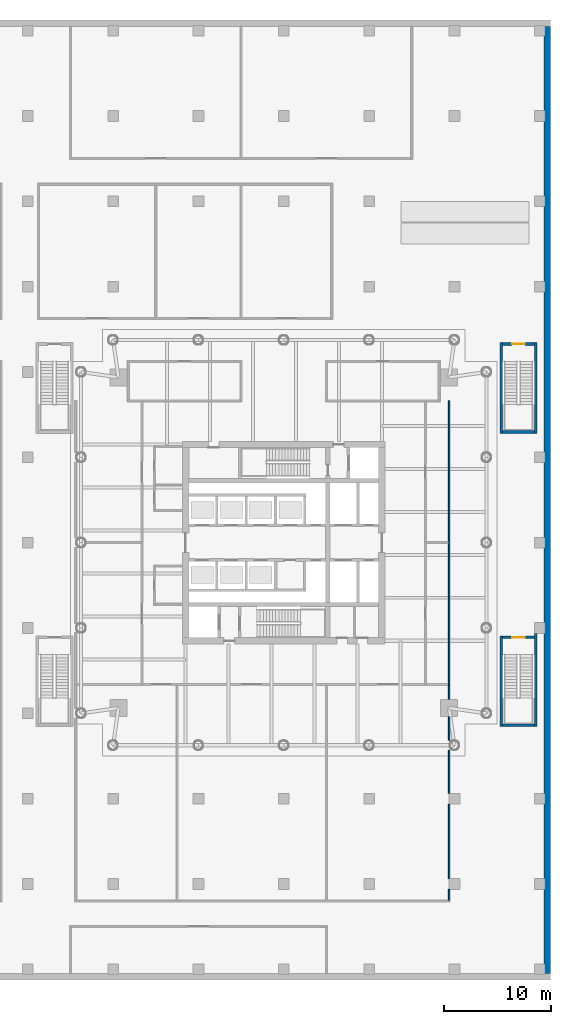
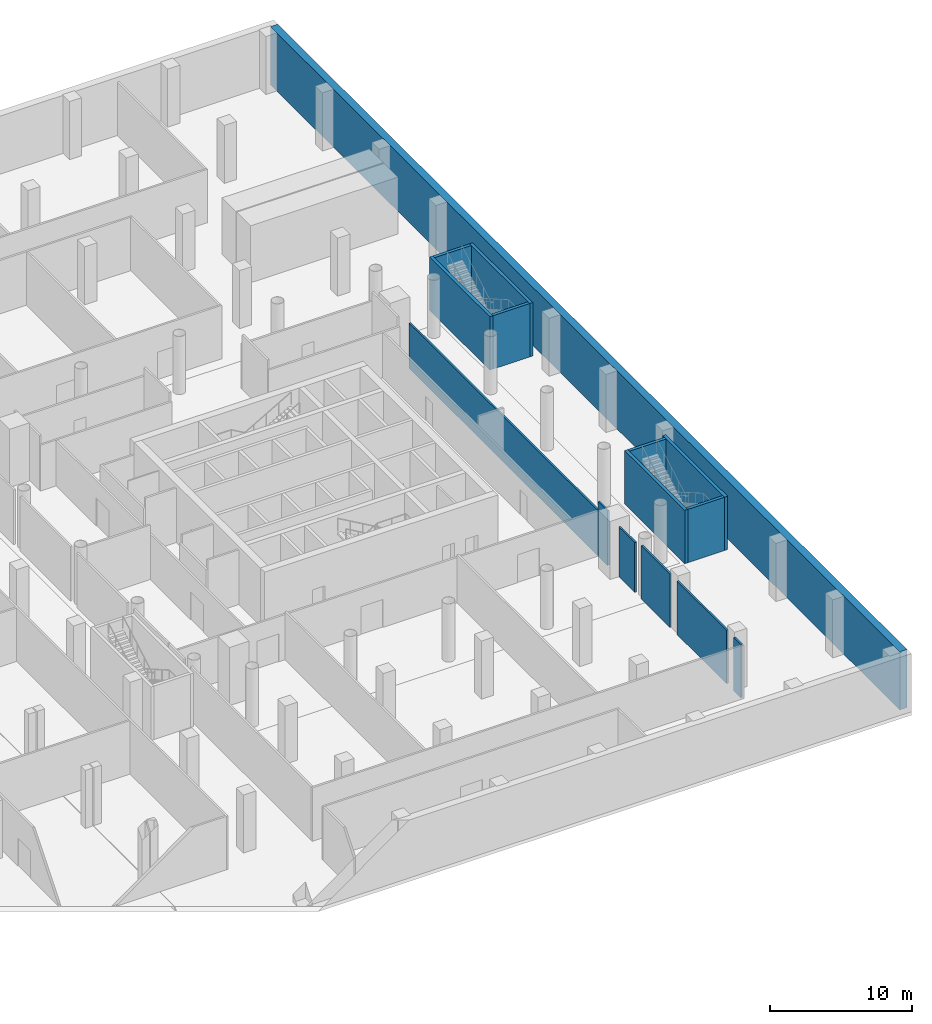
# One storey, part 16 of 22: 15 walls, 2 doors, 2 openings.
"""IFC4 building model written with IfcOpenShell, lengths in metres."""

from ifc_helpers import new_model, si_unit, direction, frame, frame_2d, origin, place, context, subcontext, project, spatial, rectangle, extrude, material, layer, layer_set, type_object, element, fill, save


model = new_model("IFC4")

# Units and contexts
model_context = context("Model", 3, precision=1e-05, world=origin(), true_north=direction((0.0, 1.0)))
body_context = subcontext(model_context, "Body", "Model", "MODEL_VIEW")
ifc_project = project(units=[si_unit("LENGTHUNIT", "METRE"), si_unit("AREAUNIT", "SQUARE_METRE"), si_unit("VOLUMEUNIT", "CUBIC_METRE"), si_unit("PLANEANGLEUNIT", "RADIAN"), si_unit("MASSUNIT", "GRAM", prefix="KILO")], contexts=[model_context])

# Site, building, storey
site_placement = place(None, origin())
site = spatial("IfcSite", under=ifc_project, at=site_placement, CompositionType="ELEMENT")
building_placement = place(site_placement, origin())
building = spatial("IfcBuilding", under=site, at=building_placement, Name="Ostroluk Exchange", CompositionType="ELEMENT")
storey_placement = place(building_placement, frame((0.0, 0.0, -5.0)))
storey = spatial("IfcBuildingStorey", under=building, at=storey_placement, Name="B1", CompositionType="ELEMENT", Elevation=-5.0)

# Walls
ifc_material_1 = material(Name="Concrete C35/45", Category="concrete")
ifc_layer_1 = layer(ifc_material_1, 0.60009765625)
ifc_layer_set_1 = layer_set([ifc_layer_1], Name="Basement retaining wall 600")
wall_type_1 = type_object("IfcWallType", Name="Basement retaining wall 600", PredefinedType="USERDEFINED", material=ifc_layer_set_1)
wall_1_placement = place(storey_placement, frame((141.699951171875, 5.60009765625, 0.0), z_axis=(0.0, 0.0, 1.0), x_axis=(0.0, 1.0, 0.0)))
element("IfcWall", 1, at=wall_1_placement, inside=storey, type_object=wall_type_1, Name="Retaining wall B1 E", ObjectType="RETAINING WALL", PredefinedType="USERDEFINED", context=body_context, shape_type="SweptSolid", body=[
    extrude(rectangle(XDim=88.7998046875, YDim=0.60009765625, at=frame_2d((44.39990234375, 0.0))), origin(), (0.0, 0.0, 1.0), 5.0),
])
ifc_material_2 = material(Name="Concrete blockwork", Category="masonry")
ifc_layer_2 = layer(ifc_material_2, 0.25)
ifc_layer_set_2 = layer_set([ifc_layer_2], Name="Blockwork stair enclosure wall 250")
wall_type_2 = type_object("IfcWallType", Name="Blockwork stair enclosure wall 250", PredefinedType="SOLIDWALL", material=ifc_layer_set_2)
wall_2_placement = place(storey_placement, frame((137.375, 28.75, 0.0), z_axis=(0.0, 0.0, 1.0), x_axis=(0.0, 1.0, 0.0)))
element("IfcWall", 2, at=wall_2_placement, inside=storey, type_object=wall_type_2, Name="Stair PS7 enclosure wall", PredefinedType="SOLIDWALL", context=body_context, shape_type="SweptSolid", body=[
    extrude(rectangle(XDim=8.5, YDim=0.25, at=frame_2d((4.25, 0.0))), origin(), (0.0, 0.0, 1.0), 4.60009765625),
])
wall_3_placement = place(storey_placement, frame((140.625, 28.75, 0.0), z_axis=(0.0, 0.0, 1.0), x_axis=(0.0, 1.0, 0.0)))
element("IfcWall", 3, at=wall_3_placement, inside=storey, type_object=wall_type_2, Name="Stair PS7 enclosure wall", PredefinedType="SOLIDWALL", context=body_context, shape_type="SweptSolid", body=[
    extrude(rectangle(XDim=8.75, YDim=0.25, at=frame_2d((4.375, 0.0))), origin(), (0.0, 0.0, 1.0), 4.60009765625),
])
wall_4_placement = place(storey_placement, frame((137.5, 28.875, 0.0), z_axis=(0.0, 0.0, 1.0), x_axis=(1.0, 0.0, 0.0)))
element("IfcWall", 4, at=wall_4_placement, inside=storey, type_object=wall_type_2, Name="Stair PS7 enclosure wall", PredefinedType="SOLIDWALL", context=body_context, shape_type="SweptSolid", body=[
    extrude(rectangle(XDim=3.0, YDim=0.25, at=frame_2d((1.5, 0.0))), origin(), (0.0, 0.0, 1.0), 4.60009765625),
])

# Wall, opening, door
wall_5_placement = place(storey_placement, frame((137.5, 37.125, 0.0), z_axis=(0.0, 0.0, 1.0), x_axis=(1.0, 0.0, 0.0)))
wall_5 = element("IfcWall", 5, at=wall_5_placement, inside=storey, type_object=wall_type_2, Name="Stair PS7 enclosure wall", PredefinedType="SOLIDWALL", context=body_context, shape_type="SweptSolid", body=[
    extrude(rectangle(XDim=3.0, YDim=0.25, at=frame_2d((1.5, 0.0))), origin(), (0.0, 0.0, 1.0), 4.60009765625),
])
opening_1_placement = place(wall_5_placement, frame((0.89990234375, 0.0, 0.0)))
opening_1 = element("IfcOpeningElement", 6, at=opening_1_placement, cuts=wall_5, Name="Opening FD60S", PredefinedType="OPENING", context=body_context, shape_type="SweptSolid", body=[
    extrude(rectangle(XDim=1.199951171875, YDim=2.10009765625, at=frame_2d((0.60009765625, 1.050048828125))), frame((0.0, 0.135009765625, 0.0), z_axis=(0.0, -1.0, 0.0), x_axis=(1.0, 0.0, 0.0)), (0.0, 0.0, 1.0), 0.27001953125),
])
ifc_material_3 = material(Name="Steel", Category="steel")
door_type = type_object("IfcDoorType", Name="Stair door EI 60 1200 x 2100", OperationType="SINGLE_SWING_LEFT", PredefinedType="DOOR", material=ifc_material_3)
door_1_placement = place(opening_1_placement, origin())
door_1 = element("IfcDoor", 7, at=door_1_placement, inside=storey, type_object=door_type, Name="Stair PS7 door", OperationType="SINGLE_SWING_LEFT", OverallHeight=2.10009765625, OverallWidth=1.199951171875, PredefinedType="DOOR", context=body_context, shape_type="SweptSolid", body=[
    extrude(rectangle(XDim=1.199951171875, YDim=2.10009765625, at=frame_2d((0.60009765625, 1.050048828125))), frame((0.0, 0.02490234375, 0.0), z_axis=(0.0, -1.0, 0.0), x_axis=(1.0, 0.0, 0.0)), (0.0, 0.0, 1.0), 0.050048828125),
])
fill(opening_1, door_1)

# Walls
for number, where, z_axis, x_axis, name in (
    (8, (137.375, 56.25, 0.0), (0.0, 0.0, 1.0), (0.0, 1.0, 0.0), "Stair PS8 enclosure wall"),
    (9, (140.625, 56.25, 0.0), (0.0, 0.0, 1.0), (0.0, 1.0, 0.0), "Stair PS8 enclosure wall"),
):
    element("IfcWall", number, at=place(storey_placement, frame(where, z_axis=z_axis, x_axis=x_axis)), inside=storey, type_object=wall_type_2, Name=name, PredefinedType="SOLIDWALL", context=body_context, shape_type="SweptSolid", body=[
        extrude(rectangle(XDim=8.5, YDim=0.25, at=frame_2d((4.25, 0.0))), origin(), (0.0, 0.0, 1.0), 4.60009765625),
    ])
wall_6_placement = place(storey_placement, frame((137.5, 56.375, 0.0), z_axis=(0.0, 0.0, 1.0), x_axis=(1.0, 0.0, 0.0)))
element("IfcWall", 10, at=wall_6_placement, inside=storey, type_object=wall_type_2, Name="Stair PS8 enclosure wall", PredefinedType="SOLIDWALL", context=body_context, shape_type="SweptSolid", body=[
    extrude(rectangle(XDim=3.0, YDim=0.25, at=frame_2d((1.5, 0.0))), origin(), (0.0, 0.0, 1.0), 4.60009765625),
])

# Wall, opening, door
wall_7_placement = place(storey_placement, frame((137.5, 64.625, 0.0), z_axis=(0.0, 0.0, 1.0), x_axis=(1.0, 0.0, 0.0)))
wall_7 = element("IfcWall", 11, at=wall_7_placement, inside=storey, type_object=wall_type_2, Name="Stair PS8 enclosure wall", PredefinedType="SOLIDWALL", context=body_context, shape_type="SweptSolid", body=[
    extrude(rectangle(XDim=3.0, YDim=0.25, at=frame_2d((1.5, 0.0))), origin(), (0.0, 0.0, 1.0), 4.60009765625),
])
opening_2_placement = place(wall_7_placement, frame((0.89990234375, 0.0, 0.0)))
opening_2 = element("IfcOpeningElement", 12, at=opening_2_placement, cuts=wall_7, Name="Opening FD60S", PredefinedType="OPENING", context=body_context, shape_type="SweptSolid", body=[
    extrude(rectangle(XDim=1.199951171875, YDim=2.10009765625, at=frame_2d((0.60009765625, 1.050048828125))), frame((0.0, 0.135009765625, 0.0), z_axis=(0.0, -1.0, 0.0), x_axis=(1.0, 0.0, 0.0)), (0.0, 0.0, 1.0), 0.27001953125),
])
door_2_placement = place(opening_2_placement, origin())
door_2 = element("IfcDoor", 13, at=door_2_placement, inside=storey, type_object=door_type, Name="Stair PS8 door", OperationType="SINGLE_SWING_LEFT", OverallHeight=2.10009765625, OverallWidth=1.199951171875, PredefinedType="DOOR", context=body_context, shape_type="SweptSolid", body=[
    extrude(rectangle(XDim=1.199951171875, YDim=2.10009765625, at=frame_2d((0.60009765625, 1.050048828125))), frame((0.0, 0.02490234375, 0.0), z_axis=(0.0, -1.0, 0.0), x_axis=(1.0, 0.0, 0.0)), (0.0, 0.0, 1.0), 0.050048828125),
])
fill(opening_2, door_2)

# Walls
ifc_material_4 = material(Name="Gypsum plasterboard partition", Category="gypsum")
ifc_layer_3 = layer(ifc_material_4, 0.14990234375)
ifc_layer_set_3 = layer_set([ifc_layer_3], Name="Plasterboard partition 150")
wall_type_3 = type_object("IfcWallType", Name="Plasterboard partition 150", PredefinedType="PARTITIONING", material=ifc_layer_set_3)
wall_8_placement = place(storey_placement, frame((132.5, 12.47509765625, 0.0), z_axis=(0.0, 0.0, 1.0), x_axis=(0.0, 1.0, 0.0)))
element("IfcWall", 14, at=wall_8_placement, inside=storey, type_object=wall_type_3, Name="Partition", PredefinedType="PARTITIONING", context=body_context, shape_type="SweptSolid", body=[
    extrude(rectangle(XDim=1.02490234375, YDim=0.14990234375, at=frame_2d((0.512451171875, 0.0))), origin(), (0.0, 0.0, 1.0), 4.60009765625),
])
wall_9_placement = place(storey_placement, frame((132.5, 14.5, 0.0), z_axis=(0.0, 0.0, 1.0), x_axis=(0.0, 1.0, 0.0)))
element("IfcWall", 15, at=wall_9_placement, inside=storey, type_object=wall_type_3, Name="Partition", PredefinedType="PARTITIONING", context=body_context, shape_type="SweptSolid", body=[
    extrude(rectangle(XDim=7.0, YDim=0.14990234375, at=frame_2d((3.5, 0.0))), origin(), (0.0, 0.0, 1.0), 4.60009765625),
])
wall_10_placement = place(storey_placement, frame((132.5, 22.5, 0.0), z_axis=(0.0, 0.0, 1.0), x_axis=(0.0, 1.0, 0.0)))
element("IfcWall", 16, at=wall_10_placement, inside=storey, type_object=wall_type_3, Name="Partition", PredefinedType="PARTITIONING", context=body_context, shape_type="SweptSolid", body=[
    extrude(rectangle(XDim=4.04296875, YDim=0.14990234375, at=frame_2d((2.021484375, 0.0))), origin(), (0.0, 0.0, 1.0), 4.60009765625),
])
wall_11_placement = place(storey_placement, frame((132.5, 27.45703125, 0.0), z_axis=(0.0, 0.0, 1.0), x_axis=(0.0, 1.0, 0.0)))
element("IfcWall", 17, at=wall_11_placement, inside=storey, type_object=wall_type_3, Name="Partition", PredefinedType="PARTITIONING", context=body_context, shape_type="SweptSolid", body=[
    extrude(rectangle(XDim=2.242919921875, YDim=0.14990234375, at=frame_2d((1.12158203125, 0.0))), origin(), (0.0, 0.0, 1.0), 4.300048828125),
])
wall_12_placement = place(storey_placement, frame((132.5, 31.300048828125, 0.0), z_axis=(0.0, 0.0, 1.0), x_axis=(0.0, 1.0, 0.0)))
element("IfcWall", 18, at=wall_12_placement, inside=storey, type_object=wall_type_3, Name="Partition", PredefinedType="PARTITIONING", context=body_context, shape_type="SweptSolid", body=[
    extrude(rectangle(XDim=1.324951171875, YDim=0.14990234375, at=frame_2d((0.66259765625, 0.0))), origin(), (0.0, 0.0, 1.0), 4.699951171875),
])
wall_13_placement = place(storey_placement, frame((132.5, 32.699951171875, 0.0), z_axis=(0.0, 0.0, 1.0), x_axis=(0.0, 1.0, 0.0)))
element("IfcWall", 19, at=wall_13_placement, inside=storey, type_object=wall_type_3, Name="Partition", PredefinedType="PARTITIONING", context=body_context, shape_type="SweptSolid", body=[
    extrude(rectangle(XDim=26.60009765625, YDim=0.14990234375, at=frame_2d((13.300048828125, 0.0))), origin(), (0.0, 0.0, 1.0), 3.89990234375),
])

save(model, "model.ifc")
